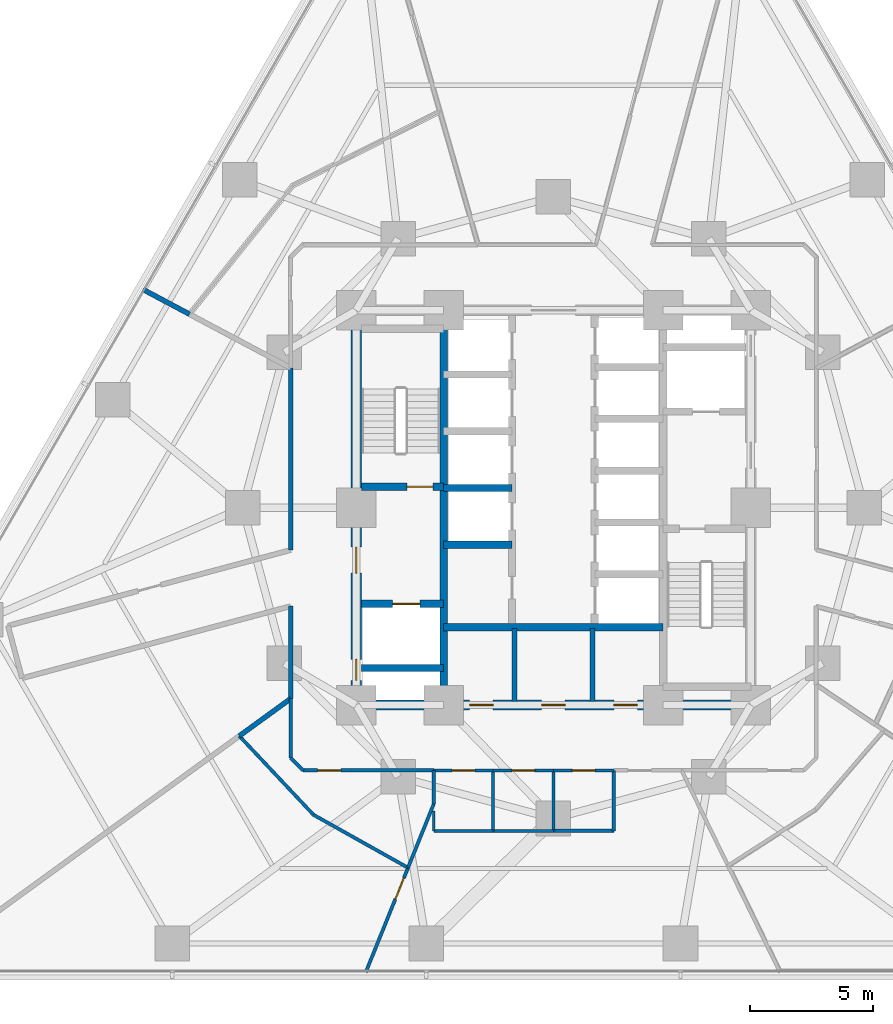
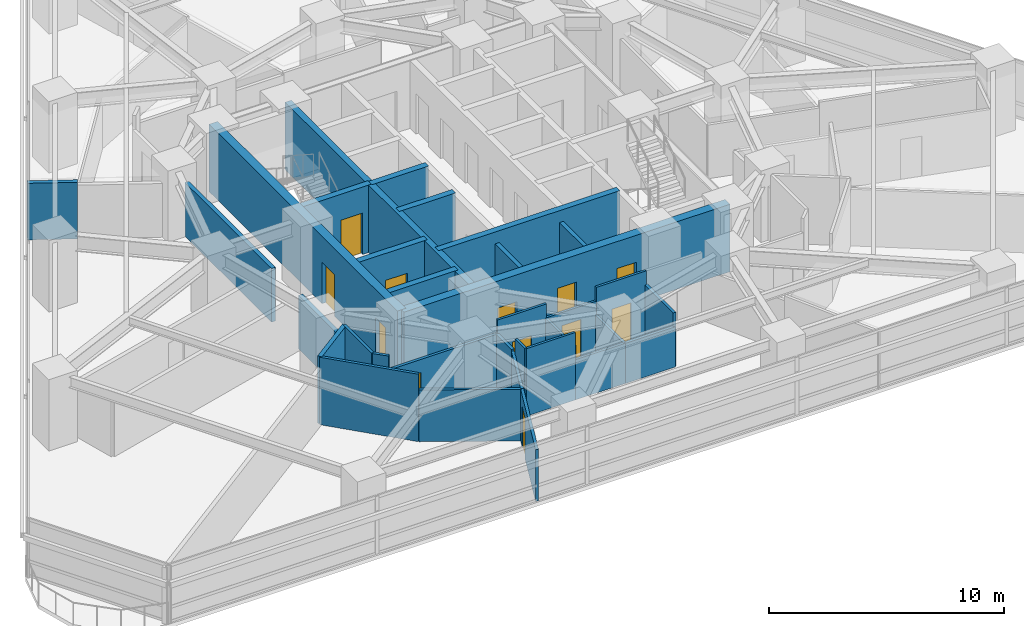
# One storey, part 8 of 16: 33 walls, 12 doors, 12 openings.
"""IFC4 building model written with IfcOpenShell, lengths in metres."""

import ifcopenshell
import ifcopenshell.guid

model = None  # the IFC model being written
_history = None  # IfcOwnerHistory: only IFC2X3 demands one
_inside = {}  # id of a spatial element -> (the spatial element, [elements in it])
_under = {}  # id of a project, library or spatial element -> (it, [spatial elements below it])
_declared = {}  # id of a project -> (the project, [libraries it declares])
_typed = {}  # id of a type object -> (the type object, [elements of that type])
_made_of = {}  # id of a material, layer set ... -> (it, [elements and type objects made of it])


def new_model(schema):
    """Start an empty IFC model of exactly this schema.

    Asked for "IFC4X3", IfcOpenShell would pick the latest addendum, in which some entities
    have other attributes; the version numbers below select the first issue.
    IFC2X3 requires an IfcOwnerHistory on every rooted entity: one is made here for all.
    """
    global model, _history
    if schema == "IFC4X3":
        model = ifcopenshell.file(schema_version=(4, 3, 0, 0))
    else:
        model = ifcopenshell.file(schema=schema)
    _inside.clear()
    _under.clear()
    _declared.clear()
    _typed.clear()
    _made_of.clear()
    _history = None
    if model.schema == "IFC2X3":
        org = make("IfcOrganization", Name="unknown")
        user = make(
            "IfcPersonAndOrganization",
            ThePerson=make("IfcPerson", FamilyName="unknown"),
            TheOrganization=org,
        )
        app = make(
            "IfcApplication",
            ApplicationDeveloper=org,
            Version="unknown",
            ApplicationFullName="unknown",
            ApplicationIdentifier="unknown",
        )
        _history = make(
            "IfcOwnerHistory",
            OwningUser=user,
            OwningApplication=app,
            ChangeAction="ADDED",
            CreationDate=0,
        )
    return model


def make(cls, **values):
    """One entity of the class cls with the attributes given. An attribute that is None is left unset."""
    return model.create_entity(
        cls, **{name: value for name, value in values.items() if value is not None}
    )


def rooted(cls, **values):
    """An entity with a GlobalId (a new one), such as an element, a storey or a relation."""
    return make(cls, GlobalId=ifcopenshell.guid.new(), OwnerHistory=_history, **values)


def si_unit(unit_type, name, prefix=None):
    """IfcSIUnit, for example si_unit("LENGTHUNIT", "METRE", prefix="MILLI")."""
    return make("IfcSIUnit", UnitType=unit_type, Prefix=prefix, Name=name)


def assignment(units):
    """IfcUnitAssignment: the units of a project."""
    return None if units is None else make("IfcUnitAssignment", Units=units)


def point(xyz):
    """IfcCartesianPoint."""
    return None if xyz is None else make("IfcCartesianPoint", Coordinates=xyz)


def direction(xyz):
    """IfcDirection."""
    return None if xyz is None else make("IfcDirection", DirectionRatios=xyz)


def frame(location, z_axis=None, x_axis=None):
    """IfcAxis2Placement3D, a coordinate frame: its origin and axes. An axis left out is left unset."""
    return make(
        "IfcAxis2Placement3D",
        Location=point(location),
        Axis=direction(z_axis),
        RefDirection=direction(x_axis),
    )


def frame_2d(location, x_axis=None):
    """IfcAxis2Placement2D, a coordinate frame in the plane: its origin and x axis."""
    return make(
        "IfcAxis2Placement2D", Location=point(location), RefDirection=direction(x_axis)
    )


def origin():
    """The frame at (0, 0, 0) with its axes left unset."""
    return frame((0.0, 0.0, 0.0))


def place(relative_to, where):
    """IfcLocalPlacement: puts the frame where relative to a parent placement (None: the world)."""
    return make(
        "IfcLocalPlacement", PlacementRelTo=relative_to, RelativePlacement=where
    )


def context(
    kind, dimensions, precision=None, world=None, true_north=None, identifier=None
):
    """IfcGeometricRepresentationContext, for example the 3D "Model" context."""
    return make(
        "IfcGeometricRepresentationContext",
        ContextIdentifier=identifier,
        ContextType=kind,
        CoordinateSpaceDimension=dimensions,
        Precision=precision,
        WorldCoordinateSystem=world,
        TrueNorth=true_north,
    )


def subcontext(parent, identifier, kind, view, scale=None):
    """IfcGeometricRepresentationSubContext, for example "Body" below "Model"."""
    return make(
        "IfcGeometricRepresentationSubContext",
        ContextIdentifier=identifier,
        ContextType=kind,
        ParentContext=parent,
        TargetScale=scale,
        TargetView=view,
    )


def project(units=None, contexts=None):
    """IfcProject with its units and contexts."""
    return rooted(
        "IfcProject",
        Name="project",
        RepresentationContexts=contexts,
        UnitsInContext=assignment(units),
    )


def spatial(cls, under=None, at=None, **own):
    """A site, building, storey or space (cls), placed at a placement, below another one or the project."""
    s = rooted(cls, ObjectPlacement=at, **own)
    if under is not None:
        _under.setdefault(under.id(), (under, []))[1].append(s)
    return s


def profile(cls, at=None, kind="AREA", **sizes):
    """A parametric profile (cls). Its sizes go by their IFC names, for example OverallWidth=200.0."""
    return make(cls, ProfileType=kind, Position=at, **sizes)


def rectangle(**sizes):
    """IfcRectangleProfileDef."""
    return profile("IfcRectangleProfileDef", **sizes)


def extrude(swept, where, along, depth):
    """IfcExtrudedAreaSolid: the profile swept, set in the frame where, extruded along a direction by depth."""
    return make(
        "IfcExtrudedAreaSolid",
        SweptArea=swept,
        Position=where,
        ExtrudedDirection=direction(along),
        Depth=depth,
    )


def shape(context_of_items, identifier, shape_type, items):
    """IfcShapeRepresentation: the items that make up one representation, for example the "Body"."""
    return make(
        "IfcShapeRepresentation",
        ContextOfItems=context_of_items,
        RepresentationIdentifier=identifier,
        RepresentationType=shape_type,
        Items=items,
    )


def material(Name=None, Category=None):
    """IfcMaterial."""
    return make("IfcMaterial", Name=Name, Category=Category)


def layer(
    of_material, thickness, ventilated=None, Name=None, Category=None, Priority=None
):
    """IfcMaterialLayer: one layer of a wall or slab, of a material (None: an air gap)."""
    return make(
        "IfcMaterialLayer",
        Material=of_material,
        LayerThickness=thickness,
        IsVentilated=ventilated,
        Name=Name,
        Category=Category,
        Priority=Priority,
    )


def layer_set(layers, Name=None):
    """IfcMaterialLayerSet."""
    return make("IfcMaterialLayerSet", MaterialLayers=layers, LayerSetName=Name)


def made_of(thing, what):
    """Note that an element or type object is made of a material, layer set ...; save() writes the relation."""
    if what is not None:
        _made_of.setdefault(what.id(), (what, []))[1].append(thing)
    return thing


def type_object(cls, material=None, **own):
    """A type object (cls), such as IfcWallType, which elements share."""
    return made_of(rooted(cls, **own), material)


def element(
    cls,
    number,
    at=None,
    inside=None,
    cuts=None,
    type_object=None,
    material=None,
    context=None,
    identifier="Body",
    shape_type=None,
    held_by="IfcProductDefinitionShape",
    body=None,
    shapes=None,
    **own,
):
    """One element of the class cls, such as IfcWall. Its Tag is "e" and its number.

    at: its placement. inside: the storey or other place that contains it. cuts: it is an
    opening in that element (IfcRelVoidsElement). A single representation is given by context,
    identifier, shape_type and body (its items); several are given by shapes. held_by: the class
    of the entity that holds the representations. save() writes the other relations.
    """
    e = rooted(cls, Tag="e%d" % number, ObjectPlacement=at, **own)
    if body is not None:
        shapes = [shape(context, identifier, shape_type, body)]
    if shapes is not None:
        e.Representation = make(held_by, Representations=shapes)
    if inside is not None:
        _inside.setdefault(inside.id(), (inside, []))[1].append(e)
    if cuts is not None:
        rooted(
            "IfcRelVoidsElement", RelatingBuildingElement=cuts, RelatedOpeningElement=e
        )
    if type_object is not None:
        _typed.setdefault(type_object.id(), (type_object, []))[1].append(e)
    return made_of(e, material)


def fill(opening, filler):
    """IfcRelFillsElement: the door or window that sits in an opening."""
    return rooted(
        "IfcRelFillsElement",
        RelatingOpeningElement=opening,
        RelatedBuildingElement=filler,
    )


def aggregate(whole, parts):
    """IfcRelAggregates: a whole, such as a stair, and the parts it consists of."""
    return rooted("IfcRelAggregates", RelatingObject=whole, RelatedObjects=parts)


def save(model, path):
    """Write the relations noted so far, then the file.

    IfcRelAggregates (storeys below a building ...), IfcRelContainedInSpatialStructure (elements
    in a storey), IfcRelDefinesByType, IfcRelAssociatesMaterial and IfcRelDeclares: one each for
    every whole, place, type object, material and project.
    """
    for whole, parts in _under.values():
        aggregate(whole, parts)
    for where, things in _inside.values():
        rooted(
            "IfcRelContainedInSpatialStructure",
            RelatedElements=things,
            RelatingStructure=where,
        )
    for kind, things in _typed.values():
        rooted("IfcRelDefinesByType", RelatedObjects=things, RelatingType=kind)
    for what, things in _made_of.values():
        rooted("IfcRelAssociatesMaterial", RelatedObjects=things, RelatingMaterial=what)
    for by, libraries in _declared.values():
        rooted("IfcRelDeclares", RelatingContext=by, RelatedDefinitions=libraries)
    model.write(path)


model = new_model("IFC4")

# Units and contexts
model_context = context("Model", 3, precision=1e-05, world=origin(), true_north=direction((0.0, 1.0)))
body_context = subcontext(model_context, "Body", "Model", "MODEL_VIEW")
ifc_project = project(units=[si_unit("LENGTHUNIT", "METRE"), si_unit("AREAUNIT", "SQUARE_METRE"), si_unit("VOLUMEUNIT", "CUBIC_METRE"), si_unit("PLANEANGLEUNIT", "RADIAN"), si_unit("MASSUNIT", "GRAM", prefix="KILO")], contexts=[model_context])

# Site, building, storey
site_placement = place(None, origin())
site = spatial("IfcSite", under=ifc_project, at=site_placement, CompositionType="ELEMENT")
building_placement = place(site_placement, origin())
building = spatial("IfcBuilding", under=site, at=building_placement, Name="Terralouvre Media Tower", CompositionType="ELEMENT")
storey_placement = place(building_placement, frame((0.0, 0.0, 40.800048828125)))
storey = spatial("IfcBuildingStorey", under=building, at=storey_placement, Name="L09", CompositionType="ELEMENT", Elevation=40.800048828125)

# Wall
ifc_material_1 = material(Name="Concrete C50/60", Category="concrete")
ifc_layer_1 = layer(ifc_material_1, 0.300048828125, Name="Core Internal Shaft Wall CW-300")
ifc_layer_set_1 = layer_set([ifc_layer_1], Name="Concrete C50/60")
wall_type_1 = type_object("IfcWallType", Name="Core Internal Shaft Wall CW-300", PredefinedType="SHEAR", material=ifc_layer_set_1)
wall_1_placement = place(storey_placement, frame((-4.449951171875, -7.7900390625, 0.0), z_axis=(0.0, 0.0, 1.0), x_axis=(0.0, 1.0, 0.0)))
element("IfcWall", 1, at=wall_1_placement, inside=storey, type_object=wall_type_1, Name="L09 Core Shaft Wall SPW", PredefinedType="SHEAR", context=body_context, shape_type="SweptSolid", body=[
    extrude(rectangle(XDim=15.580078125, YDim=0.300048828125, at=frame_2d((7.7900390625, 0.0))), origin(), (0.0, 0.0, 1.0), 3.5),
])

# Wall, opening, door
wall_2_placement = place(storey_placement, frame((-7.7900390625, 0.85009765625, 0.0), z_axis=(0.0, 0.0, 1.0), x_axis=(1.0, 0.0, 0.0)))
wall_2 = element("IfcWall", 2, at=wall_2_placement, inside=storey, type_object=wall_type_1, Name="L09 Core Shaft Wall ST1D", PredefinedType="SHEAR", context=body_context, shape_type="SweptSolid", body=[
    extrude(rectangle(XDim=3.340087890625, YDim=0.300048828125, at=frame_2d((1.669921875, 0.0))), origin(), (0.0, 0.0, 1.0), 3.5),
])
opening_1_placement = place(wall_2_placement, frame((1.85009765625, 0.0, 0.0)))
opening_1 = element("IfcOpeningElement", 3, at=opening_1_placement, cuts=wall_2, Name="Opening FD-01-105X215", PredefinedType="OPENING", context=body_context, shape_type="SweptSolid", body=[
    extrude(rectangle(XDim=1.050048828125, YDim=2.14990234375, at=frame_2d((0.52490234375, 1.074951171875))), frame((0.0, 0.159912109375, 0.0), z_axis=(0.0, -1.0, 0.0), x_axis=(1.0, 0.0, 0.0)), (0.0, 0.0, 1.0), 0.320068359375),
])
ifc_material_2 = material(Name="Galvanised steel fire-resisting leaf", Category="steel")
door_type_1 = type_object("IfcDoorType", Name="Stair and Firefighting Lobby Fire Door FD-01 (1050x2150)", OperationType="NOTDEFINED", PredefinedType="DOOR", material=ifc_material_2)
door_1_placement = place(opening_1_placement, origin())
door_1 = element("IfcDoor", 4, at=door_1_placement, inside=storey, type_object=door_type_1, Name="L09 ST-01 Exit Stair Door", OperationType="SINGLE_SWING_LEFT", OverallHeight=2.14990234375, OverallWidth=1.050048828125, PredefinedType="DOOR", context=body_context, shape_type="SweptSolid", body=[
    extrude(rectangle(XDim=1.050048828125, YDim=2.14990234375, at=frame_2d((0.52490234375, 1.074951171875))), frame((0.0, 0.02490234375, 0.0), z_axis=(0.0, -1.0, 0.0), x_axis=(1.0, 0.0, 0.0)), (0.0, 0.0, 1.0), 0.050048828125),
])
fill(opening_1, door_1)

wall_3_placement = place(storey_placement, frame((-7.7900390625, -3.89990234375, 0.0), z_axis=(0.0, 0.0, 1.0), x_axis=(1.0, 0.0, 0.0)))
wall_3 = element("IfcWall", 5, at=wall_3_placement, inside=storey, type_object=wall_type_1, Name="L09 Core Shaft Wall FF1N", PredefinedType="SHEAR", context=body_context, shape_type="SweptSolid", body=[
    extrude(rectangle(XDim=3.340087890625, YDim=0.300048828125, at=frame_2d((1.669921875, 0.0))), origin(), (0.0, 0.0, 1.0), 3.5),
])
opening_2_placement = place(wall_3_placement, frame((1.27001953125, 0.0, 0.0)))
opening_2 = element("IfcOpeningElement", 6, at=opening_2_placement, cuts=wall_3, Name="Opening LD-FF", PredefinedType="OPENING", context=body_context, shape_type="SweptSolid", body=[
    extrude(rectangle(XDim=1.10009765625, YDim=2.10009765625, at=frame_2d((0.550048828125, 1.050048828125))), frame((0.0, 0.159912109375, 0.0), z_axis=(0.0, -1.0, 0.0), x_axis=(1.0, 0.0, 0.0)), (0.0, 0.0, 1.0), 0.320068359375),
])
ifc_material_3 = material(Name="Stainless steel 316 handrail and balustrade", Category="steel")
door_type_2 = type_object("IfcDoorType", Name="Firefighting Lift Sliding Landing Door LD-FF", OperationType="SLIDING_TO_LEFT", PredefinedType="DOOR", material=ifc_material_3)
door_2_placement = place(opening_2_placement, origin())
door_2 = element("IfcDoor", 7, at=door_2_placement, inside=storey, type_object=door_type_2, Name="L09 Firefighting Lift FFL-01 Landing Door", OperationType="SLIDING_TO_LEFT", OverallHeight=2.10009765625, OverallWidth=1.10009765625, PredefinedType="DOOR", context=body_context, shape_type="SweptSolid", body=[
    extrude(rectangle(XDim=1.10009765625, YDim=2.10009765625, at=frame_2d((0.550048828125, 1.050048828125))), frame((0.0, 0.02490234375, 0.0), z_axis=(0.0, -1.0, 0.0), x_axis=(1.0, 0.0, 0.0)), (0.0, 0.0, 1.0), 0.050048828125),
])
fill(opening_2, door_2)

# Walls
wall_4_placement = place(storey_placement, frame((-7.7900390625, -6.5, 0.0), z_axis=(0.0, 0.0, 1.0), x_axis=(1.0, 0.0, 0.0)))
element("IfcWall", 8, at=wall_4_placement, inside=storey, type_object=wall_type_1, Name="L09 Core Shaft Wall FF1S", PredefinedType="SHEAR", context=body_context, shape_type="SweptSolid", body=[
    extrude(rectangle(XDim=3.340087890625, YDim=0.300048828125, at=frame_2d((1.669921875, 0.0))), origin(), (0.0, 0.0, 1.0), 3.5),
])
wall_5_placement = place(storey_placement, frame((-4.449951171875, -4.85009765625, 0.0), z_axis=(0.0, 0.0, 1.0), x_axis=(1.0, 0.0, 0.0)))
element("IfcWall", 9, at=wall_5_placement, inside=storey, type_object=wall_type_1, Name="L09 Core Shaft Wall CSBN", PredefinedType="SHEAR", context=body_context, shape_type="SweptSolid", body=[
    extrude(rectangle(XDim=8.89990234375, YDim=0.300048828125, at=frame_2d((4.449951171875, 0.0))), origin(), (0.0, 0.0, 1.0), 3.5),
])
for number, where, z_axis, x_axis, name in (
    (10, (-4.449951171875, -1.5, 0.0), (0.0, 0.0, 1.0), (1.0, 0.0, 0.0), "L09 Core Shaft Wall PLLD0"),
    (11, (-4.449951171875, 0.800048828125, 0.0), (0.0, 0.0, 1.0), (1.0, 0.0, 0.0), "L09 Core Shaft Wall PLLD1"),
):
    element("IfcWall", number, at=place(storey_placement, frame(where, z_axis=z_axis, x_axis=x_axis)), inside=storey, type_object=wall_type_1, Name=name, PredefinedType="SHEAR", context=body_context, shape_type="SweptSolid", body=[
        extrude(rectangle(XDim=2.77001953125, YDim=0.300048828125, at=frame_2d((1.385009765625, 0.0))), origin(), (0.0, 0.0, 1.0), 3.5),
    ])

# Wall, openings, doors
ifc_material_4 = material(Name="Concrete C60/75", Category="concrete")
ifc_layer_2 = layer(ifc_material_4, 0.419921875, Name="Core Reinforced Concrete Shear Wall CW-420")
ifc_layer_set_2 = layer_set([ifc_layer_2], Name="Concrete C60/75")
wall_type_2 = type_object("IfcWallType", Name="Core Reinforced Concrete Shear Wall CW-420", PredefinedType="SHEAR", material=ifc_layer_set_2)
wall_6_placement = place(storey_placement, frame((-8.0, -8.0, 0.0), z_axis=(0.0, 0.0, 1.0), x_axis=(0.0, 1.0, 0.0)))
wall_6 = element("IfcWall", 12, at=wall_6_placement, inside=storey, type_object=wall_type_2, Name="L09 W Core Shear Wall", PredefinedType="SHEAR", context=body_context, shape_type="SweptSolid", body=[
    extrude(rectangle(XDim=16.0, YDim=0.419921875, at=frame_2d((8.0, 0.0))), origin(), (0.0, 0.0, 1.0), 3.5),
])
opening_3_placement = place(wall_6_placement, frame((1.001708984375, 0.0, 0.0)))
opening_3 = element("IfcOpeningElement", 13, at=opening_3_placement, cuts=wall_6, Name="Opening TD-R1", PredefinedType="OPENING", context=body_context, shape_type="SweptSolid", body=[
    extrude(rectangle(XDim=0.85009765625, YDim=2.02001953125, at=frame_2d((0.425048828125, 1.010009765625))), frame((0.0, 0.219970703125, 0.0), z_axis=(0.0, -1.0, 0.0), x_axis=(1.0, 0.0, 0.0)), (0.0, 0.0, 1.0), 0.43994140625),
])
opening_4_placement = place(wall_6_placement, frame((5.35009765625, 0.0, 0.0)))
opening_4 = element("IfcOpeningElement", 14, at=opening_4_placement, cuts=wall_6, Name="Opening FD-01-105X215", PredefinedType="OPENING", context=body_context, shape_type="SweptSolid", body=[
    extrude(rectangle(XDim=1.050048828125, YDim=2.14990234375, at=frame_2d((0.52490234375, 1.074951171875))), frame((0.0, 0.219970703125, 0.0), z_axis=(0.0, -1.0, 0.0), x_axis=(1.0, 0.0, 0.0)), (0.0, 0.0, 1.0), 0.43994140625),
])
ifc_material_5 = material(Name="Galvanised steel fire-resisting leaf", Category="steel")
door_type_3 = type_object("IfcDoorType", Name="Riser Inspection Access Trapdoor TD-R1", OperationType="NOTDEFINED", PredefinedType="TRAPDOOR", material=ifc_material_5)
door_3_placement = place(opening_3_placement, origin())
door_3 = element("IfcDoor", 15, at=door_3_placement, inside=storey, type_object=door_type_3, Name="L09 Wet Riser Access Trapdoor", OperationType="SINGLE_SWING_LEFT", OverallHeight=2.02001953125, OverallWidth=0.85009765625, PredefinedType="TRAPDOOR", context=body_context, shape_type="SweptSolid", body=[
    extrude(rectangle(XDim=0.85009765625, YDim=2.02001953125, at=frame_2d((0.425048828125, 1.010009765625))), frame((0.0, 0.02490234375, 0.0), z_axis=(0.0, -1.0, 0.0), x_axis=(1.0, 0.0, 0.0)), (0.0, 0.0, 1.0), 0.050048828125),
])
fill(opening_3, door_3)
door_4_placement = place(opening_4_placement, origin())
door_4 = element("IfcDoor", 16, at=door_4_placement, inside=storey, type_object=door_type_1, Name="L09 West Firefighting Lobby Entry Door", OperationType="SINGLE_SWING_RIGHT", OverallHeight=2.14990234375, OverallWidth=1.050048828125, PredefinedType="DOOR", context=body_context, shape_type="SweptSolid", body=[
    extrude(rectangle(XDim=1.050048828125, YDim=2.14990234375, at=frame_2d((0.52490234375, 1.074951171875))), frame((0.0, 0.02490234375, 0.0), z_axis=(0.0, -1.0, 0.0), x_axis=(1.0, 0.0, 0.0)), (0.0, 0.0, 1.0), 0.050048828125),
])
fill(opening_4, door_4)

wall_7_placement = place(storey_placement, frame((-8.0, -8.0, 0.0), z_axis=(0.0, 0.0, 1.0), x_axis=(1.0, 0.0, 0.0)))
wall_7 = element("IfcWall", 17, at=wall_7_placement, inside=storey, type_object=wall_type_2, Name="L09 S Core Shear Wall", PredefinedType="SHEAR", context=body_context, shape_type="SweptSolid", body=[
    extrude(rectangle(XDim=16.0, YDim=0.419921875, at=frame_2d((8.0, 0.0))), origin(), (0.0, 0.0, 1.0), 3.5),
])
opening_5_placement = place(wall_7_placement, frame((4.60009765625, 0.0, 0.0)))
opening_5 = element("IfcOpeningElement", 18, at=opening_5_placement, cuts=wall_7, Name="Opening FD-02-95X210", PredefinedType="OPENING", context=body_context, shape_type="SweptSolid", body=[
    extrude(rectangle(XDim=0.949951171875, YDim=2.10009765625, at=frame_2d((0.47509765625, 1.050048828125))), frame((0.0, 0.219970703125, 0.0), z_axis=(0.0, -1.0, 0.0), x_axis=(1.0, 0.0, 0.0)), (0.0, 0.0, 1.0), 0.43994140625),
])
opening_6_placement = place(wall_7_placement, frame((7.52001953125, 0.0, 0.0)))
opening_6 = element("IfcOpeningElement", 19, at=opening_6_placement, cuts=wall_7, Name="Opening FD-02-95X210", PredefinedType="OPENING", context=body_context, shape_type="SweptSolid", body=[
    extrude(rectangle(XDim=0.949951171875, YDim=2.10009765625, at=frame_2d((0.47509765625, 1.050048828125))), frame((0.0, 0.219970703125, 0.0), z_axis=(0.0, -1.0, 0.0), x_axis=(1.0, 0.0, 0.0)), (0.0, 0.0, 1.0), 0.43994140625),
])
opening_7_placement = place(wall_7_placement, frame((10.449951171875, 0.0, 0.0)))
opening_7 = element("IfcOpeningElement", 20, at=opening_7_placement, cuts=wall_7, Name="Opening FD-02-95X210", PredefinedType="OPENING", context=body_context, shape_type="SweptSolid", body=[
    extrude(rectangle(XDim=0.949951171875, YDim=2.10009765625, at=frame_2d((0.47509765625, 1.050048828125))), frame((0.0, 0.219970703125, 0.0), z_axis=(0.0, -1.0, 0.0), x_axis=(1.0, 0.0, 0.0)), (0.0, 0.0, 1.0), 0.43994140625),
])
ifc_material_6 = material(Name="Galvanised steel fire-resisting leaf", Category="steel")
door_type_4 = type_object("IfcDoorType", Name="Plant and Riser Fire Door FD-02 (950x2100)", OperationType="NOTDEFINED", PredefinedType="DOOR", material=ifc_material_6)
door_5_placement = place(opening_5_placement, origin())
door_5 = element("IfcDoor", 21, at=door_5_placement, inside=storey, type_object=door_type_4, Name="L09 Core Janitor Store Door", OperationType="SINGLE_SWING_LEFT", OverallHeight=2.10009765625, OverallWidth=0.949951171875, PredefinedType="DOOR", context=body_context, shape_type="SweptSolid", body=[
    extrude(rectangle(XDim=0.949951171875, YDim=2.10009765625, at=frame_2d((0.47509765625, 1.050048828125))), frame((0.0, 0.02490234375, 0.0), z_axis=(0.0, -1.0, 0.0), x_axis=(1.0, 0.0, 0.0)), (0.0, 0.0, 1.0), 0.050048828125),
])
fill(opening_5, door_5)
door_6_placement = place(opening_6_placement, origin())
door_6 = element("IfcDoor", 22, at=door_6_placement, inside=storey, type_object=door_type_4, Name="L09 Core Linen Store Door", OperationType="SINGLE_SWING_RIGHT", OverallHeight=2.10009765625, OverallWidth=0.949951171875, PredefinedType="DOOR", context=body_context, shape_type="SweptSolid", body=[
    extrude(rectangle(XDim=0.949951171875, YDim=2.10009765625, at=frame_2d((0.47509765625, 1.050048828125))), frame((0.0, 0.02490234375, 0.0), z_axis=(0.0, -1.0, 0.0), x_axis=(1.0, 0.0, 0.0)), (0.0, 0.0, 1.0), 0.050048828125),
])
fill(opening_6, door_6)
door_7_placement = place(opening_7_placement, origin())
door_7 = element("IfcDoor", 23, at=door_7_placement, inside=storey, type_object=door_type_4, Name="L09 Core Metering Plant Door", OperationType="SINGLE_SWING_LEFT", OverallHeight=2.10009765625, OverallWidth=0.949951171875, PredefinedType="DOOR", context=body_context, shape_type="SweptSolid", body=[
    extrude(rectangle(XDim=0.949951171875, YDim=2.10009765625, at=frame_2d((0.47509765625, 1.050048828125))), frame((0.0, 0.02490234375, 0.0), z_axis=(0.0, -1.0, 0.0), x_axis=(1.0, 0.0, 0.0)), (0.0, 0.0, 1.0), 0.050048828125),
])
fill(opening_7, door_7)

# Walls
ifc_material_7 = material(Name="Fire-rated gypsum board drywall partition")
ifc_layer_3 = layer(ifc_material_7, 0.199951171875, Name="Fire-Rated Shaft and Lobby Partition FW-200")
ifc_layer_set_3 = layer_set([ifc_layer_3], Name="Fire-rated gypsum board drywall partition")
wall_type_3 = type_object("IfcWallType", Name="Fire-Rated Shaft and Lobby Partition FW-200", PredefinedType="SOLIDWALL", material=ifc_layer_set_3)
for number, where, z_axis, x_axis, name in (
    (24, (-1.580078125, -7.85009765625, 0.0), (0.0, 0.0, 1.0), (0.0, 1.0, 0.0), "L09 Core Service Bay Partition 1"),
    (25, (1.580078125, -7.85009765625, 0.0), (0.0, 0.0, 1.0), (0.0, 1.0, 0.0), "L09 Core Service Bay Partition 2"),
):
    element("IfcWall", number, at=place(storey_placement, frame(where, z_axis=z_axis, x_axis=x_axis)), inside=storey, type_object=wall_type_3, Name=name, PredefinedType="SOLIDWALL", context=body_context, shape_type="SweptSolid", body=[
        extrude(rectangle(XDim=2.9501953125, YDim=0.199951171875, at=frame_2d((1.47509765625, 0.0))), origin(), (0.0, 0.0, 1.0), 2.885009765625),
    ])
wall_8_placement = place(storey_placement, frame((-10.64990234375, 5.6630859375, 0.0), z_axis=(0.0, 0.0, 1.0), x_axis=(0.0, -1.0, 0.0)))
element("IfcWall", 26, at=wall_8_placement, inside=storey, type_object=wall_type_3, Name="L09 Interior Partition 008", PredefinedType="SOLIDWALL", context=body_context, shape_type="SweptSolid", body=[
    extrude(rectangle(XDim=7.378173828125, YDim=0.199951171875, at=frame_2d((3.68896484375, 0.0))), origin(), (0.0, 0.0, 1.0), 2.784912109375),
])
wall_9_placement = place(storey_placement, frame((-10.64990234375, -3.991943359375, 0.0), z_axis=(0.0, 0.0, 1.0), x_axis=(0.0, -1.0, 0.0)))
element("IfcWall", 27, at=wall_9_placement, inside=storey, type_object=wall_type_3, Name="L09 Interior Partition 012", PredefinedType="SOLIDWALL", context=body_context, shape_type="SweptSolid", body=[
    extrude(rectangle(XDim=3.74609375, YDim=0.199951171875, at=frame_2d((1.873046875, 0.0))), origin(), (0.0, 0.0, 1.0), 2.784912109375),
])
wall_10_placement = place(storey_placement, frame((-12.736083984375, -9.2529296875, 0.0), z_axis=(0.0, 0.0, 1.0), x_axis=(0.809165833136, 0.587580338749, 0.0)))
element("IfcWall", 28, at=wall_10_placement, inside=storey, type_object=wall_type_3, Name="L09 Interior Partition 038", PredefinedType="SOLIDWALL", context=body_context, shape_type="SweptSolid", body=[
    extrude(rectangle(XDim=2.578125, YDim=0.199951171875, at=frame_2d((1.2890625, 0.0))), origin(), (0.0, 0.0, 1.0), 3.5),
])
wall_11_placement = place(storey_placement, frame((-14.7548828125, 7.844970703125, 0.0), z_axis=(0.0, 0.0, 1.0), x_axis=(-0.882905636776, 0.469550462197, 0.0)))
element("IfcWall", 29, at=wall_11_placement, inside=storey, type_object=wall_type_3, Name="L09 Interior Partition 039", PredefinedType="SOLIDWALL", context=body_context, shape_type="SweptSolid", body=[
    extrude(rectangle(XDim=2.137451171875, YDim=0.199951171875, at=frame_2d((1.06884765625, 0.0))), origin(), (0.0, 0.0, 1.0), 2.93505859375),
])
ifc_material_8 = material(Name="Fire-rated gypsum board drywall partition")
ifc_layer_4 = layer(ifc_material_8, 0.135009765625, Name="Newsroom Acoustic Partition PT-135")
ifc_layer_set_4 = layer_set([ifc_layer_4], Name="Fire-rated gypsum board drywall partition")
wall_type_4 = type_object("IfcWallType", Name="Newsroom Acoustic Partition PT-135", PredefinedType="PARTITIONING", material=ifc_layer_set_4)
wall_12_placement = place(storey_placement, frame((-10.64990234375, -7.738037109375, 0.0), z_axis=(0.0, 0.0, 1.0), x_axis=(0.0, -1.0, 0.0)))
element("IfcWall", 30, at=wall_12_placement, inside=storey, type_object=wall_type_4, Name="L09 Interior Partition 020", PredefinedType="PARTITIONING", context=body_context, shape_type="SweptSolid", body=[
    extrude(rectangle(XDim=2.411865234375, YDim=0.135009765625, at=frame_2d((1.2060546875, 0.0))), origin(), (0.0, 0.0, 1.0), 3.5),
])
wall_13_placement = place(storey_placement, frame((-10.64990234375, -10.14990234375, 0.0), z_axis=(0.0, 0.0, 1.0), x_axis=(0.707106781187, -0.707106781187, 0.0)))
element("IfcWall", 31, at=wall_13_placement, inside=storey, type_object=wall_type_4, Name="L09 Interior Partition 021", PredefinedType="PARTITIONING", context=body_context, shape_type="SweptSolid", body=[
    extrude(rectangle(XDim=0.70703125, YDim=0.135009765625, at=frame_2d((0.353515625, 0.0))), origin(), (0.0, 0.0, 1.0), 3.5),
])

# Wall, opening, door
wall_14_placement = place(storey_placement, frame((-10.14990234375, -10.64990234375, 0.0), z_axis=(0.0, 0.0, 1.0), x_axis=(1.0, 0.0, 0.0)))
wall_14 = element("IfcWall", 32, at=wall_14_placement, inside=storey, type_object=wall_type_4, Name="L09 Interior Partition 022", PredefinedType="PARTITIONING", context=body_context, shape_type="SweptSolid", body=[
    extrude(rectangle(XDim=5.2998046875, YDim=0.135009765625, at=frame_2d((2.64990234375, 0.0))), origin(), (0.0, 0.0, 1.0), 2.784912109375),
])
opening_8_placement = place(wall_14_placement, frame((0.5849609375, 0.0, 0.0)))
opening_8 = element("IfcOpeningElement", 33, at=opening_8_placement, cuts=wall_14, Name="Opening ID-02-95X210", PredefinedType="OPENING", context=body_context, shape_type="SweptSolid", body=[
    extrude(rectangle(XDim=0.949951171875, YDim=2.10009765625, at=frame_2d((0.47509765625, 1.050048828125))), frame((0.0, 0.077392578125, 0.0), z_axis=(0.0, -1.0, 0.0), x_axis=(1.0, 0.0, 0.0)), (0.0, 0.0, 1.0), 0.155029296875),
])
ifc_material_9 = material(Name="Engineered hardwood acoustic timber leaf", Category="wood")
door_type_5 = type_object("IfcDoorType", Name="Office and Meeting Room Door ID-02 (950x2100)", OperationType="NOTDEFINED", PredefinedType="DOOR", material=ifc_material_9)
door_8_placement = place(opening_8_placement, origin())
door_8 = element("IfcDoor", 34, at=door_8_placement, inside=storey, type_object=door_type_5, Name="L09 Wardrobe Costume Closet 7 Door", OperationType="SINGLE_SWING_LEFT", OverallHeight=2.10009765625, OverallWidth=0.949951171875, PredefinedType="DOOR", context=body_context, shape_type="SweptSolid", body=[
    extrude(rectangle(XDim=0.949951171875, YDim=2.10009765625, at=frame_2d((0.47509765625, 1.050048828125))), frame((0.0, 0.02490234375, 0.0), z_axis=(0.0, -1.0, 0.0), x_axis=(1.0, 0.0, 0.0)), (0.0, 0.0, 1.0), 0.050048828125),
])
fill(opening_8, door_8)

# Walls
wall_15_placement = place(storey_placement, frame((-5.89697265625, -14.595947265625, 0.0), z_axis=(0.0, 0.0, 1.0), x_axis=(-0.87248894478, 0.488633851915, 0.0)))
element("IfcWall", 35, at=wall_15_placement, inside=storey, type_object=wall_type_4, Name="L09 Interior Partition 047", PredefinedType="PARTITIONING", context=body_context, shape_type="SweptSolid", body=[
    extrude(rectangle(XDim=4.389892578125, YDim=0.135009765625, at=frame_2d((2.19482421875, 0.0))), origin(), (0.0, 0.0, 1.0), 2.68505859375),
])
wall_16_placement = place(storey_placement, frame((-9.72705078125, -12.450927734375, 0.0), z_axis=(0.0, 0.0, 1.0), x_axis=(-0.685262368975, 0.728296289752, 0.0)))
element("IfcWall", 36, at=wall_16_placement, inside=storey, type_object=wall_type_4, Name="L09 Interior Partition 048", PredefinedType="PARTITIONING", context=body_context, shape_type="SweptSolid", body=[
    extrude(rectangle(XDim=4.39111328125, YDim=0.135009765625, at=frame_2d((2.195556640625, 0.0))), origin(), (0.0, 0.0, 1.0), 3.5),
])

# Wall, opening, door
wall_17_placement = place(storey_placement, frame((-7.610107421875, -18.8369140625, 0.0), z_axis=(0.0, 0.0, 1.0), x_axis=(0.374545124537, 0.927208687236, 0.0)))
wall_17 = element("IfcWall", 37, at=wall_17_placement, inside=storey, type_object=wall_type_4, Name="L09 Interior Partition 049", PredefinedType="PARTITIONING", context=body_context, shape_type="SweptSolid", body=[
    extrude(rectangle(XDim=4.573974609375, YDim=0.135009765625, at=frame_2d((2.287109375, 0.0))), origin(), (0.0, 0.0, 1.0), 2.68505859375),
])
opening_9_placement = place(wall_17_placement, frame((3.198974609375, 0.0, 0.0)))
opening_9 = element("IfcOpeningElement", 38, at=opening_9_placement, cuts=wall_17, Name="Opening ID-03-92X210", PredefinedType="OPENING", context=body_context, shape_type="SweptSolid", body=[
    extrude(rectangle(XDim=0.919921875, YDim=2.10009765625, at=frame_2d((0.4599609375, 1.050048828125))), frame((0.0, 0.077392578125, 0.0), z_axis=(0.0, -1.0, 0.0), x_axis=(1.0, 0.0, 0.0)), (0.0, 0.0, 1.0), 0.155029296875),
])
ifc_material_10 = material(Name="Engineered hardwood acoustic timber leaf", Category="wood")
door_type_6 = type_object("IfcDoorType", Name="Accessible Restroom and Suite Door ID-03 (920x2100)", OperationType="NOTDEFINED", PredefinedType="DOOR", material=ifc_material_10)
door_9_placement = place(opening_9_placement, origin())
door_9 = element("IfcDoor", 39, at=door_9_placement, inside=storey, type_object=door_type_6, Name="L09 Camera Lens Vault Store 6 Door", OperationType="SINGLE_SWING_RIGHT", OverallHeight=2.10009765625, OverallWidth=0.919921875, PredefinedType="DOOR", context=body_context, shape_type="SweptSolid", body=[
    extrude(rectangle(XDim=0.919921875, YDim=2.10009765625, at=frame_2d((0.4599609375, 1.050048828125))), frame((0.0, 0.02490234375, 0.0), z_axis=(0.0, -1.0, 0.0), x_axis=(1.0, 0.0, 0.0)), (0.0, 0.0, 1.0), 0.050048828125),
])
fill(opening_9, door_9)

# Walls
wall_18_placement = place(storey_placement, frame((-4.85009765625, -12.00390625, 0.0), z_axis=(0.0, 0.0, 1.0), x_axis=(0.0, 1.0, 0.0)))
element("IfcWall", 40, at=wall_18_placement, inside=storey, type_object=wall_type_4, Name="L09 Interior Partition 050", PredefinedType="PARTITIONING", context=body_context, shape_type="SweptSolid", body=[
    extrude(rectangle(XDim=1.35400390625, YDim=0.135009765625, at=frame_2d((0.677001953125, 0.0))), origin(), (0.0, 0.0, 1.0), 2.784912109375),
])
wall_19_placement = place(storey_placement, frame((-5.89697265625, -14.595947265625, 0.0), z_axis=(0.0, 0.0, 1.0), x_axis=(0.374490485533, 0.92723075674, 0.0)))
element("IfcWall", 41, at=wall_19_placement, inside=storey, type_object=wall_type_4, Name="L09 Interior Partition 051", PredefinedType="PARTITIONING", context=body_context, shape_type="SweptSolid", body=[
    extrude(rectangle(XDim=2.79541015625, YDim=0.135009765625, at=frame_2d((1.397705078125, 0.0))), origin(), (0.0, 0.0, 1.0), 2.68505859375),
])
wall_20_placement = place(storey_placement, frame((2.449951171875, -10.64990234375, 0.0), z_axis=(0.0, 0.0, 1.0), x_axis=(0.0, -1.0, 0.0)))
element("IfcWall", 42, at=wall_20_placement, inside=storey, type_object=wall_type_4, Name="L09 Interior Partition 057", PredefinedType="PARTITIONING", context=body_context, shape_type="SweptSolid", body=[
    extrude(rectangle(XDim=2.4501953125, YDim=0.135009765625, at=frame_2d((1.22509765625, 0.0))), origin(), (0.0, 0.0, 1.0), 2.784912109375),
])
wall_21_placement = place(storey_placement, frame((2.449951171875, -13.10009765625, 0.0), z_axis=(0.0, 0.0, 1.0), x_axis=(-1.0, 0.0, 0.0)))
element("IfcWall", 43, at=wall_21_placement, inside=storey, type_object=wall_type_4, Name="L09 Interior Partition 058", PredefinedType="PARTITIONING", context=body_context, shape_type="SweptSolid", body=[
    extrude(rectangle(XDim=2.449951171875, YDim=0.135009765625, at=frame_2d((1.22509765625, 0.0))), origin(), (0.0, 0.0, 1.0), 2.0849609375),
])

# Wall, opening, door
ifc_material_11 = material(Name="Fire-rated gypsum board drywall partition")
ifc_layer_5 = layer(ifc_material_11, 0.114990234375, Name="Restroom and Pantry Partition PT-115")
ifc_layer_set_5 = layer_set([ifc_layer_5], Name="Fire-rated gypsum board drywall partition")
wall_type_5 = type_object("IfcWallType", Name="Restroom and Pantry Partition PT-115", PredefinedType="PARTITIONING", material=ifc_layer_set_5)
wall_22_placement = place(storey_placement, frame((-4.85009765625, -10.64990234375, 0.0), z_axis=(0.0, 0.0, 1.0), x_axis=(1.0, 0.0, 0.0)))
wall_22 = element("IfcWall", 44, at=wall_22_placement, inside=storey, type_object=wall_type_5, Name="L09 Interior Partition 023", PredefinedType="PARTITIONING", context=body_context, shape_type="SweptSolid", body=[
    extrude(rectangle(XDim=2.400146484375, YDim=0.114990234375, at=frame_2d((1.2001953125, 0.0))), origin(), (0.0, 0.0, 1.0), 3.5),
])
opening_10_placement = place(wall_22_placement, frame((0.739990234375, 0.0, 0.0)))
opening_10 = element("IfcOpeningElement", 45, at=opening_10_placement, cuts=wall_22, Name="Opening ID-03-92X210", PredefinedType="OPENING", context=body_context, shape_type="SweptSolid", body=[
    extrude(rectangle(XDim=0.919921875, YDim=2.10009765625, at=frame_2d((0.4599609375, 1.050048828125))), frame((0.0, 0.0673828125, 0.0), z_axis=(0.0, -1.0, 0.0), x_axis=(1.0, 0.0, 0.0)), (0.0, 0.0, 1.0), 0.135009765625),
])
door_10_placement = place(opening_10_placement, origin())
door_10 = element("IfcDoor", 46, at=door_10_placement, inside=storey, type_object=door_type_6, Name="L09 Male Restroom WC Door", OperationType="SINGLE_SWING_RIGHT", OverallHeight=2.10009765625, OverallWidth=0.919921875, PredefinedType="DOOR", context=body_context, shape_type="SweptSolid", body=[
    extrude(rectangle(XDim=0.919921875, YDim=2.10009765625, at=frame_2d((0.4599609375, 1.050048828125))), frame((0.0, 0.02490234375, 0.0), z_axis=(0.0, -1.0, 0.0), x_axis=(1.0, 0.0, 0.0)), (0.0, 0.0, 1.0), 0.050048828125),
])
fill(opening_10, door_10)

wall_23_placement = place(storey_placement, frame((-2.449951171875, -10.64990234375, 0.0), z_axis=(0.0, 0.0, 1.0), x_axis=(1.0, 0.0, 0.0)))
wall_23 = element("IfcWall", 47, at=wall_23_placement, inside=storey, type_object=wall_type_5, Name="L09 Interior Partition 024", PredefinedType="PARTITIONING", context=body_context, shape_type="SweptSolid", body=[
    extrude(rectangle(XDim=2.449951171875, YDim=0.114990234375, at=frame_2d((1.22509765625, 0.0))), origin(), (0.0, 0.0, 1.0), 2.784912109375),
])
opening_11_placement = place(wall_23_placement, frame((0.764892578125, 0.0, 0.0)))
opening_11 = element("IfcOpeningElement", 48, at=opening_11_placement, cuts=wall_23, Name="Opening ID-03-92X210", PredefinedType="OPENING", context=body_context, shape_type="SweptSolid", body=[
    extrude(rectangle(XDim=0.919921875, YDim=2.10009765625, at=frame_2d((0.4599609375, 1.050048828125))), frame((0.0, 0.0673828125, 0.0), z_axis=(0.0, -1.0, 0.0), x_axis=(1.0, 0.0, 0.0)), (0.0, 0.0, 1.0), 0.135009765625),
])
door_11_placement = place(opening_11_placement, origin())
door_11 = element("IfcDoor", 49, at=door_11_placement, inside=storey, type_object=door_type_6, Name="L09 Female Restroom WC Door", OperationType="SINGLE_SWING_LEFT", OverallHeight=2.10009765625, OverallWidth=0.919921875, PredefinedType="DOOR", context=body_context, shape_type="SweptSolid", body=[
    extrude(rectangle(XDim=0.919921875, YDim=2.10009765625, at=frame_2d((0.4599609375, 1.050048828125))), frame((0.0, 0.02490234375, 0.0), z_axis=(0.0, -1.0, 0.0), x_axis=(1.0, 0.0, 0.0)), (0.0, 0.0, 1.0), 0.050048828125),
])
fill(opening_11, door_11)

wall_24_placement = place(storey_placement, frame((0.0, -10.64990234375, 0.0), z_axis=(0.0, 0.0, 1.0), x_axis=(1.0, 0.0, 0.0)))
wall_24 = element("IfcWall", 50, at=wall_24_placement, inside=storey, type_object=wall_type_5, Name="L09 Interior Partition 026", PredefinedType="PARTITIONING", context=body_context, shape_type="SweptSolid", body=[
    extrude(rectangle(XDim=2.449951171875, YDim=0.114990234375, at=frame_2d((1.22509765625, 0.0))), origin(), (0.0, 0.0, 1.0), 3.5),
])
opening_12_placement = place(wall_24_placement, frame((0.764892578125, 0.0, 0.0)))
opening_12 = element("IfcOpeningElement", 51, at=opening_12_placement, cuts=wall_24, Name="Opening ID-03-92X210", PredefinedType="OPENING", context=body_context, shape_type="SweptSolid", body=[
    extrude(rectangle(XDim=0.919921875, YDim=2.10009765625, at=frame_2d((0.4599609375, 1.050048828125))), frame((0.0, 0.0673828125, 0.0), z_axis=(0.0, -1.0, 0.0), x_axis=(1.0, 0.0, 0.0)), (0.0, 0.0, 1.0), 0.135009765625),
])
door_12_placement = place(opening_12_placement, origin())
door_12 = element("IfcDoor", 52, at=door_12_placement, inside=storey, type_object=door_type_6, Name="L09 Accessible Unisex WC Door", OperationType="SINGLE_SWING_LEFT", OverallHeight=2.10009765625, OverallWidth=0.919921875, PredefinedType="DOOR", context=body_context, shape_type="SweptSolid", body=[
    extrude(rectangle(XDim=0.919921875, YDim=2.10009765625, at=frame_2d((0.4599609375, 1.050048828125))), frame((0.0, 0.02490234375, 0.0), z_axis=(0.0, -1.0, 0.0), x_axis=(1.0, 0.0, 0.0)), (0.0, 0.0, 1.0), 0.050048828125),
])
fill(opening_12, door_12)

# Walls
wall_25_placement = place(storey_placement, frame((-2.449951171875, -13.10009765625, 0.0), z_axis=(0.0, 0.0, 1.0), x_axis=(0.0, 1.0, 0.0)))
element("IfcWall", 53, at=wall_25_placement, inside=storey, type_object=wall_type_5, Name="L09 Interior Partition 052", PredefinedType="PARTITIONING", context=body_context, shape_type="SweptSolid", body=[
    extrude(rectangle(XDim=2.4501953125, YDim=0.114990234375, at=frame_2d((1.22509765625, 0.0))), origin(), (0.0, 0.0, 1.0), 2.784912109375),
])
wall_26_placement = place(storey_placement, frame((-4.85009765625, -12.297607421875, 0.0), z_axis=(0.0, 0.0, 1.0), x_axis=(0.0, -1.0, 0.0)))
element("IfcWall", 54, at=wall_26_placement, inside=storey, type_object=wall_type_5, Name="L09 Interior Partition 053", PredefinedType="PARTITIONING", context=body_context, shape_type="SweptSolid", body=[
    extrude(rectangle(XDim=0.802490234375, YDim=0.114990234375, at=frame_2d((0.4013671875, 0.0))), origin(), (0.0, 0.0, 1.0), 3.5),
])
wall_27_placement = place(storey_placement, frame((-4.85009765625, -13.10009765625, 0.0), z_axis=(0.0, 0.0, 1.0), x_axis=(1.0, 0.0, 0.0)))
element("IfcWall", 55, at=wall_27_placement, inside=storey, type_object=wall_type_5, Name="L09 Interior Partition 054", PredefinedType="PARTITIONING", context=body_context, shape_type="SweptSolid", body=[
    extrude(rectangle(XDim=2.400146484375, YDim=0.114990234375, at=frame_2d((1.2001953125, 0.0))), origin(), (0.0, 0.0, 1.0), 3.5),
])
wall_28_placement = place(storey_placement, frame((-2.449951171875, -13.10009765625, 0.0), z_axis=(0.0, 0.0, 1.0), x_axis=(1.0, 0.0, 0.0)))
element("IfcWall", 56, at=wall_28_placement, inside=storey, type_object=wall_type_5, Name="L09 Interior Partition 055", PredefinedType="PARTITIONING", context=body_context, shape_type="SweptSolid", body=[
    extrude(rectangle(XDim=2.449951171875, YDim=0.114990234375, at=frame_2d((1.22509765625, 0.0))), origin(), (0.0, 0.0, 1.0), 2.0849609375),
])
wall_29_placement = place(storey_placement, frame((0.0, -13.10009765625, 0.0), z_axis=(0.0, 0.0, 1.0), x_axis=(0.0, 1.0, 0.0)))
element("IfcWall", 57, at=wall_29_placement, inside=storey, type_object=wall_type_5, Name="L09 Interior Partition 056", PredefinedType="PARTITIONING", context=body_context, shape_type="SweptSolid", body=[
    extrude(rectangle(XDim=2.4501953125, YDim=0.114990234375, at=frame_2d((1.22509765625, 0.0))), origin(), (0.0, 0.0, 1.0), 2.0849609375),
])

save(model, "model.ifc")
